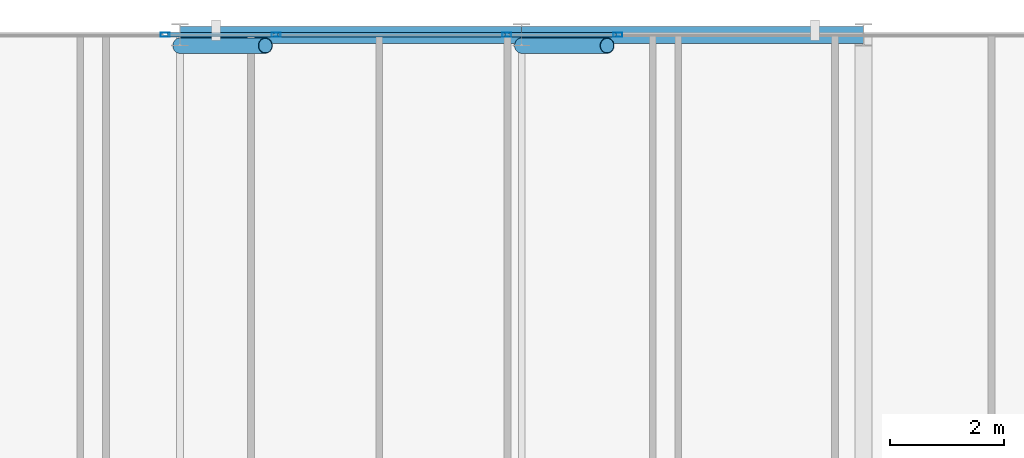
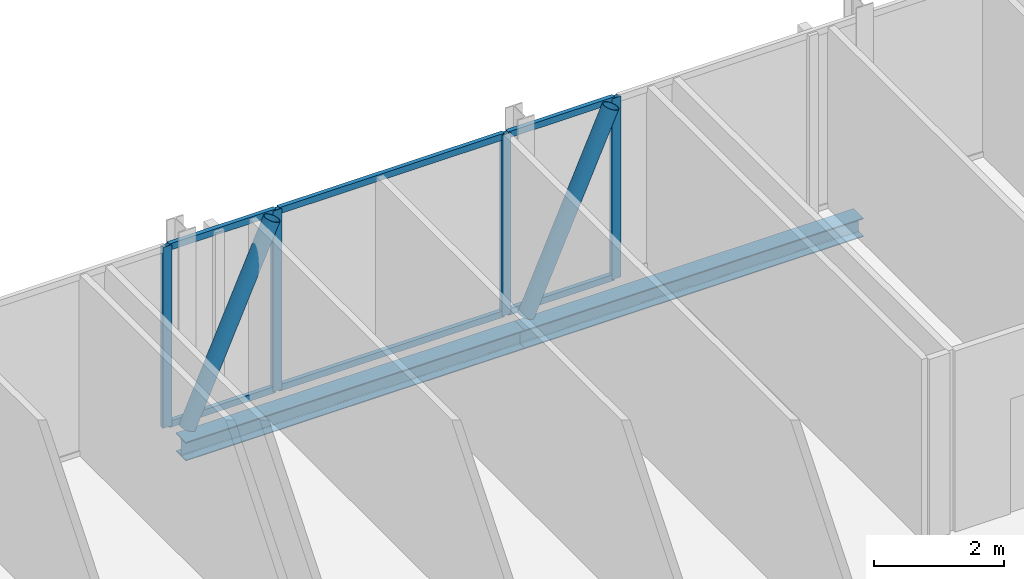
# One storey, part 17 of 28: 12 members, 2 beams, 4 elements without a shape of their own.
"""IFC4 building model written with IfcOpenShell, lengths in metres."""

from ifc_helpers import new_model, si_unit, direction, frame, origin, origin_2d, place, context, subcontext, project, spatial, hollow_rectangle, hollow_circle, i_section, extrude, material, layer, layer_set, material_profile, profile_set, type_object, element, aggregate, save


model = new_model("IFC4")

# Units and contexts
model_context = context("Model", 3, precision=1e-05, world=origin(), true_north=direction((0.0, 1.0)))
body_context = subcontext(model_context, "Body", "Model", "MODEL_VIEW")
ifc_project = project(units=[si_unit("LENGTHUNIT", "METRE"), si_unit("AREAUNIT", "SQUARE_METRE"), si_unit("VOLUMEUNIT", "CUBIC_METRE"), si_unit("PLANEANGLEUNIT", "RADIAN"), si_unit("MASSUNIT", "GRAM", prefix="KILO")], contexts=[model_context])

# Site, building, storey
site_placement = place(None, origin())
site = spatial("IfcSite", under=ifc_project, at=site_placement, CompositionType="ELEMENT")
building_placement = place(site_placement, origin())
building = spatial("IfcBuilding", under=site, at=building_placement, Name="Keshet Zoharim Tower", CompositionType="ELEMENT")
storey_placement = place(building_placement, frame((0.0, 0.0, 258.39990234375)))
storey = spatial("IfcBuildingStorey", under=building, at=storey_placement, Name="L64", CompositionType="ELEMENT", Elevation=258.39990234375)

# Beams
ifc_material_1 = material(Name="Steel S355", Category="steel")
ifc_material_profile_1 = material_profile(ifc_material_1, i_section(OverallWidth=0.300048828125, OverallDepth=0.35009765625, WebThickness=0.010009765625, FlangeThickness=0.017578125, FilletRadius=0.027099609375, at=origin_2d()), Name="HEA360")
ifc_profile_set_1 = profile_set([ifc_material_profile_1], Name="Steel S355")
beam_type = type_object("IfcBeamType", Name="BM-PRI-HA360", PredefinedType="BEAM", material=ifc_profile_set_1)
for number, where, z_axis, x_axis, name in (
    (1, (21.0, 53.89990234375, -0.48486328125), (1.0, 0.0, 0.0), (0.0, 1.0, 0.0), "L64 Primary Girder X-010"),
    (2, (27.0, 53.89990234375, -0.48486328125), (1.0, 0.0, 0.0), (0.0, 1.0, 0.0), "L64 Primary Girder X-011"),
):
    element("IfcBeam", number, at=place(storey_placement, frame(where, z_axis=z_axis, x_axis=x_axis)), inside=storey, type_object=beam_type, Name=name, PredefinedType="BEAM", context=body_context, shape_type="SweptSolid", body=[
        extrude(i_section(OverallWidth=0.300048828125, OverallDepth=0.35009765625, WebThickness=0.010009765625, FlangeThickness=0.017578125, FilletRadius=0.027099609375, at=origin_2d()), origin(), (0.0, 0.0, 1.0), 6.0),
    ])

# Curtain wall, member
ifc_material_2 = material(Name="Aluminium 6063-T6", Category="aluminium")
ifc_layer = layer(ifc_material_2, 0.260009765625)
ifc_layer_set = layer_set([ifc_layer], Name="Aluminium 6063-T6")
curtain_wall_type = type_object("IfcCurtainWallType", Name="CW-SYS-06", PredefinedType="NOTDEFINED", material=ifc_layer_set)
curtain_wall_1_placement = place(storey_placement, origin())
curtain_wall_1 = element("IfcCurtainWall", 3, at=curtain_wall_1_placement, inside=storey, type_object=curtain_wall_type, Name="L64 Unitised Curtain Wall 06", PredefinedType="NOTDEFINED")
ifc_material_profile_2 = material_profile(ifc_material_2, hollow_rectangle(XDim=0.074951171875, YDim=0.159912109375, WallThickness=0.00390625, at=origin_2d()), Name="MUL-75x160")
ifc_profile_set_2 = profile_set([ifc_material_profile_2], Name="Aluminium 6063-T6")
member_type_1 = type_object("IfcMemberType", Name="CWM-M15", PredefinedType="MULLION", material=ifc_profile_set_2)
member_1_placement = place(storey_placement, frame((20.740234375, 53.89990234375, 0.0), z_axis=(0.0, 0.0, 1.0), x_axis=(0.0, 1.0, 0.0)))
member_1 = element("IfcMember", 4, at=member_1_placement, type_object=member_type_1, Name="CW-06 mullion 2", PredefinedType="MULLION", context=body_context, shape_type="SweptSolid", body=[
    extrude(hollow_rectangle(XDim=0.074951171875, YDim=0.159912109375, WallThickness=0.00390625, at=origin_2d()), origin(), (0.0, 0.0, 1.0), 3.39013671875),
])
aggregate(curtain_wall_1, [member_1])

curtain_wall_2_placement = place(storey_placement, origin())
curtain_wall_2 = element("IfcCurtainWall", 5, at=curtain_wall_2_placement, inside=storey, type_object=curtain_wall_type, Name="L64 Unitised Curtain Wall 06 Part 2", PredefinedType="NOTDEFINED")
member_2_placement = place(storey_placement, frame((22.689697265625, 53.89990234375, 0.0), z_axis=(0.0, 0.0, 1.0), x_axis=(0.0, 1.0, 0.0)))
member_2 = element("IfcMember", 6, at=member_2_placement, type_object=member_type_1, Name="CW-06 mullion 2", PredefinedType="MULLION", context=body_context, shape_type="SweptSolid", body=[
    extrude(hollow_rectangle(XDim=0.074951171875, YDim=0.159912109375, WallThickness=0.00390625, at=origin_2d()), origin(), (0.0, 0.0, 1.0), 3.39013671875),
])

curtain_wall_3_placement = place(storey_placement, origin())
curtain_wall_3 = element("IfcCurtainWall", 7, at=curtain_wall_3_placement, inside=storey, type_object=curtain_wall_type, Name="L64 Unitised Curtain Wall 06 Part 3", PredefinedType="NOTDEFINED")
member_3_placement = place(storey_placement, frame((26.740234375, 53.89990234375, 0.0), z_axis=(0.0, 0.0, 1.0), x_axis=(0.0, 1.0, 0.0)))
member_3 = element("IfcMember", 8, at=member_3_placement, type_object=member_type_1, Name="CW-06 mullion 2", PredefinedType="MULLION", context=body_context, shape_type="SweptSolid", body=[
    extrude(hollow_rectangle(XDim=0.074951171875, YDim=0.159912109375, WallThickness=0.00390625, at=origin_2d()), origin(), (0.0, 0.0, 1.0), 3.39013671875),
])

curtain_wall_4_placement = place(storey_placement, origin())
curtain_wall_4 = element("IfcCurtainWall", 9, at=curtain_wall_4_placement, inside=storey, type_object=curtain_wall_type, Name="L64 Unitised Curtain Wall 06 Part 4", PredefinedType="NOTDEFINED")
member_4_placement = place(storey_placement, frame((28.689697265625, 53.89990234375, 0.0), z_axis=(0.0, 0.0, 1.0), x_axis=(0.0, 1.0, 0.0)))
member_4 = element("IfcMember", 10, at=member_4_placement, type_object=member_type_1, Name="CW-06 mullion 2", PredefinedType="MULLION", context=body_context, shape_type="SweptSolid", body=[
    extrude(hollow_rectangle(XDim=0.074951171875, YDim=0.159912109375, WallThickness=0.00390625, at=origin_2d()), origin(), (0.0, 0.0, 1.0), 3.39013671875),
])

# Member
ifc_material_profile_3 = material_profile(ifc_material_2, hollow_rectangle(XDim=0.074951171875, YDim=0.1201171875, WallThickness=0.00390625, at=origin_2d()), Name="TRN-75x120")
ifc_profile_set_3 = profile_set([ifc_material_profile_3], Name="Aluminium 6063-T6")
member_type_2 = type_object("IfcMemberType", Name="CWT-T12", PredefinedType="USERDEFINED", material=ifc_profile_set_3)
member_5_placement = place(storey_placement, frame((20.775146484375, 53.89990234375, 0.03515625), z_axis=(1.0, 0.0, 0.0), x_axis=(0.0, 1.0, 0.0)))
member_5 = element("IfcMember", 11, at=member_5_placement, type_object=member_type_2, Name="CW-06 transom 1.1", ObjectType="TRANSOM", PredefinedType="USERDEFINED", context=body_context, shape_type="SweptSolid", body=[
    extrude(hollow_rectangle(XDim=0.074951171875, YDim=0.1201171875, WallThickness=0.00390625, at=origin_2d()), origin(), (0.0, 0.0, 1.0), 1.879638671875),
])

member_6_placement = place(storey_placement, frame((20.775146484375, 53.89990234375, 3.35498046875), z_axis=(1.0, 0.0, 0.0), x_axis=(0.0, 1.0, 0.0)))
member_6 = element("IfcMember", 12, at=member_6_placement, type_object=member_type_2, Name="CW-06 transom 1.2", ObjectType="TRANSOM", PredefinedType="USERDEFINED", context=body_context, shape_type="SweptSolid", body=[
    extrude(hollow_rectangle(XDim=0.074951171875, YDim=0.1201171875, WallThickness=0.00390625, at=origin_2d()), origin(), (0.0, 0.0, 1.0), 1.879638671875),
])

aggregate(curtain_wall_2, [member_2, member_5, member_6])

member_7_placement = place(storey_placement, frame((22.724853515625, 53.89990234375, 0.03515625), z_axis=(1.0, 0.0, 0.0), x_axis=(0.0, 1.0, 0.0)))
member_7 = element("IfcMember", 13, at=member_7_placement, type_object=member_type_2, Name="CW-06 transom 1.1", ObjectType="TRANSOM", PredefinedType="USERDEFINED", context=body_context, shape_type="SweptSolid", body=[
    extrude(hollow_rectangle(XDim=0.074951171875, YDim=0.1201171875, WallThickness=0.00390625, at=origin_2d()), origin(), (0.0, 0.0, 1.0), 3.980224609375),
])

member_8_placement = place(storey_placement, frame((22.724853515625, 53.89990234375, 3.35498046875), z_axis=(1.0, 0.0, 0.0), x_axis=(0.0, 1.0, 0.0)))
member_8 = element("IfcMember", 14, at=member_8_placement, type_object=member_type_2, Name="CW-06 transom 1.2", ObjectType="TRANSOM", PredefinedType="USERDEFINED", context=body_context, shape_type="SweptSolid", body=[
    extrude(hollow_rectangle(XDim=0.074951171875, YDim=0.1201171875, WallThickness=0.00390625, at=origin_2d()), origin(), (0.0, 0.0, 1.0), 3.980224609375),
])

aggregate(curtain_wall_3, [member_3, member_7, member_8])

member_9_placement = place(storey_placement, frame((26.775146484375, 53.89990234375, 0.03515625), z_axis=(1.0, 0.0, 0.0), x_axis=(0.0, 1.0, 0.0)))
member_9 = element("IfcMember", 15, at=member_9_placement, type_object=member_type_2, Name="CW-06 transom 1.1", ObjectType="TRANSOM", PredefinedType="USERDEFINED", context=body_context, shape_type="SweptSolid", body=[
    extrude(hollow_rectangle(XDim=0.074951171875, YDim=0.1201171875, WallThickness=0.00390625, at=origin_2d()), origin(), (0.0, 0.0, 1.0), 1.879638671875),
])

member_10_placement = place(storey_placement, frame((26.775146484375, 53.89990234375, 3.35498046875), z_axis=(1.0, 0.0, 0.0), x_axis=(0.0, 1.0, 0.0)))
member_10 = element("IfcMember", 16, at=member_10_placement, type_object=member_type_2, Name="CW-06 transom 1.2", ObjectType="TRANSOM", PredefinedType="USERDEFINED", context=body_context, shape_type="SweptSolid", body=[
    extrude(hollow_rectangle(XDim=0.074951171875, YDim=0.1201171875, WallThickness=0.00390625, at=origin_2d()), origin(), (0.0, 0.0, 1.0), 1.879638671875),
])

aggregate(curtain_wall_4, [member_4, member_9, member_10])

# Members
ifc_material_profile_4 = material_profile(ifc_material_1, hollow_circle(Radius=0.136474609375, WallThickness=0.010009765625, at=origin_2d()), Name="CHS273x10")
ifc_profile_set_4 = profile_set([ifc_material_profile_4], Name="Steel S355")
member_type_3 = type_object("IfcMemberType", Name="MB-BR-C273", PredefinedType="BRACE", material=ifc_profile_set_4)
for number, where, z_axis, x_axis, name in (
    (17, (21.0, 53.7099609375, 0.0), (0.404622528463, 0.0, 0.914483793984), (0.0, 1.0, 0.0), "L64 Perimeter Tube Brace 03"),
    (18, (27.0, 53.7099609375, 0.0), (0.404622528463, 0.0, 0.914483793984), (0.0, 1.0, 0.0), "L64 Perimeter Tube Brace 04"),
):
    element("IfcMember", number, at=place(storey_placement, frame(where, z_axis=z_axis, x_axis=x_axis)), inside=storey, type_object=member_type_3, Name=name, PredefinedType="BRACE", context=body_context, shape_type="SweptSolid", body=[
        extrude(hollow_circle(Radius=0.136474609375, WallThickness=0.010009765625, at=origin_2d()), origin(), (0.0, 0.0, 1.0), 3.707275390625),
    ])

save(model, "model.ifc")
